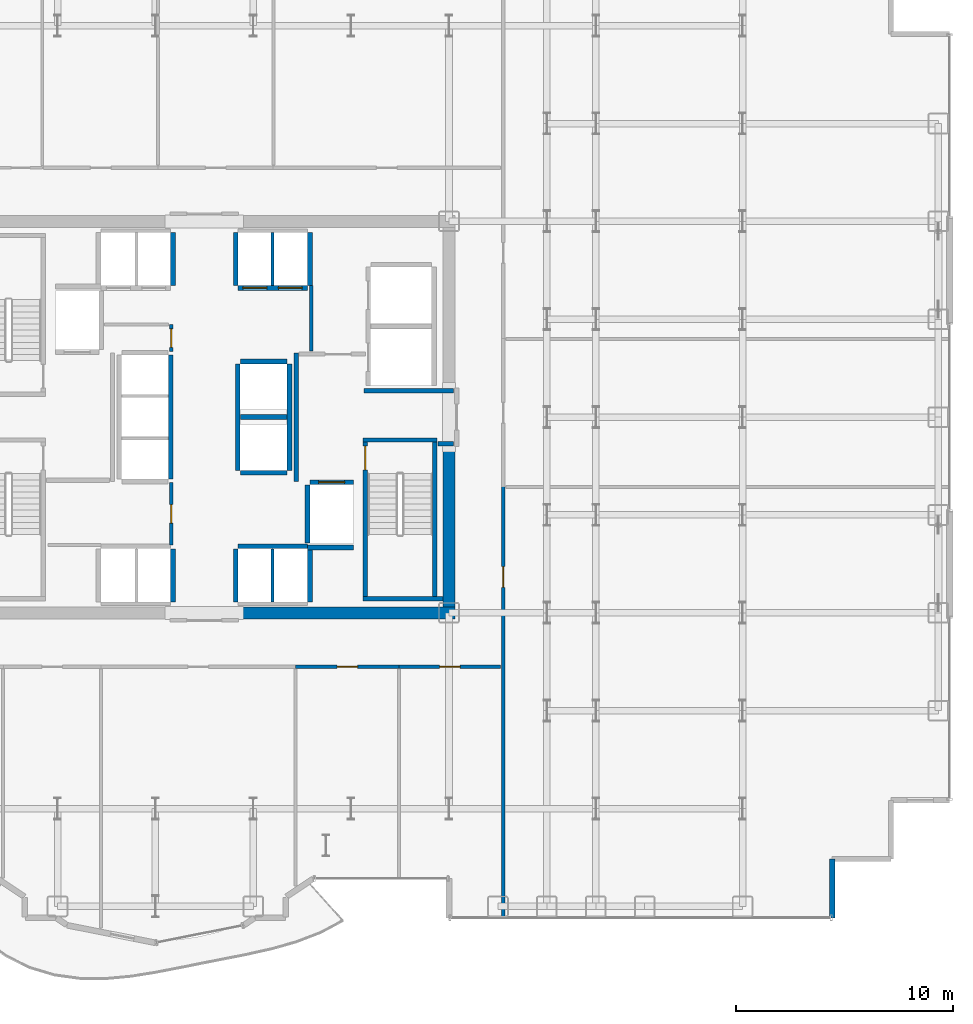
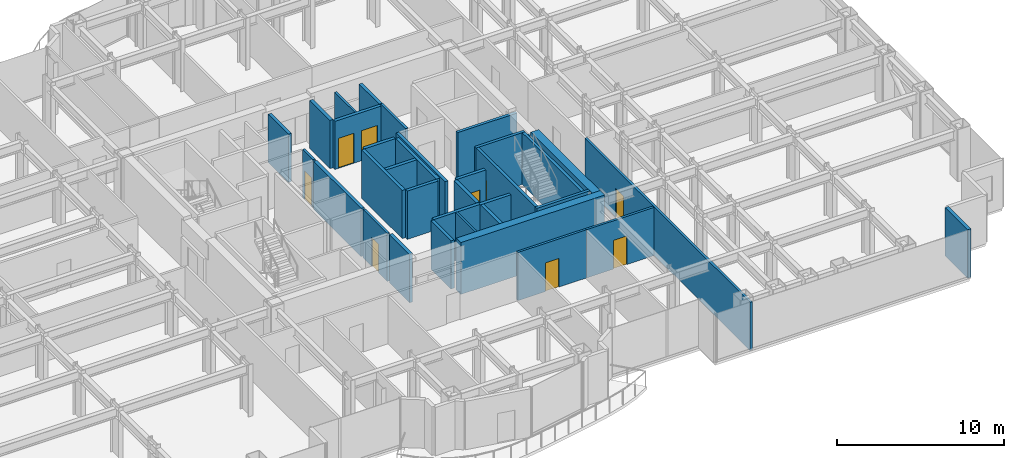
# One storey, part 24 of 28: 35 walls, 9 doors, 9 openings.
"""IFC4 building model written with IfcOpenShell, lengths in metres."""

from ifc_helpers import new_model, si_unit, direction, frame, frame_2d, origin, place, context, subcontext, project, spatial, rectangle, extrude, source, transform, mapped, material, layer, layer_set, type_object, element, fill, save


model = new_model("IFC4")

# Units and contexts
model_context = context("Model", 3, precision=1e-05, world=origin(), true_north=direction((0.0, 1.0)))
body_context = subcontext(model_context, "Body", "Model", "MODEL_VIEW")
ifc_project = project(units=[si_unit("LENGTHUNIT", "METRE"), si_unit("AREAUNIT", "SQUARE_METRE"), si_unit("VOLUMEUNIT", "CUBIC_METRE"), si_unit("PLANEANGLEUNIT", "RADIAN"), si_unit("MASSUNIT", "GRAM", prefix="KILO")], contexts=[model_context])

# Site, building, storey
site_placement = place(None, origin())
site = spatial("IfcSite", under=ifc_project, at=site_placement, CompositionType="ELEMENT")
building_placement = place(site_placement, origin())
building = spatial("IfcBuilding", under=site, at=building_placement, Name="Nefas-Gora Pilgrimage Tower", CompositionType="ELEMENT")
storey_placement = place(building_placement, frame((0.0, 0.0, 102.199951171875)))
storey = spatial("IfcBuildingStorey", under=building, at=storey_placement, Name="L24", CompositionType="ELEMENT", Elevation=102.199951171875)

# Walls
ifc_material_1 = material(Name="Concrete C60/75", Category="concrete")
ifc_layer_1 = layer(ifc_material_1, 0.550048828125)
ifc_layer_set_1 = layer_set([ifc_layer_1], Name="Concrete C60/75")
wall_type_1 = type_object("IfcWallType", Name="SW-CORE-550", PredefinedType="SHEAR", material=ifc_layer_set_1)
shared_shape_1 = source(origin(), body_context, "Body", "SweptSolid", [
    extrude(rectangle(XDim=9.974853515625, YDim=0.550048828125, at=frame_2d((4.9873046875, 0.0))), origin(), (0.0, 0.0, 1.0), 3.800048828125),
])
wall_1_placement = place(storey_placement, frame((1.550048828125, -9.0, 0.0), z_axis=(0.0, 0.0, 1.0), x_axis=(1.0, 0.0, 0.0)))
element("IfcWall", 1, at=wall_1_placement, inside=storey, type_object=wall_type_1, Name="L24 Core Shear Wall S-East", PredefinedType="SHEAR", context=body_context, shape_type="MappedRepresentation", body=[
    mapped(shared_shape_1, transform((0.0, 0.0, 0.0), x_axis=(1.0, 0.0, 0.0), y_axis=(0.0, 1.0, 0.0), z_axis=(0.0, 0.0, 1.0), scale=1.0)),
])
shared_shape_2 = source(origin(), body_context, "Body", "SweptSolid", [
    extrude(rectangle(XDim=7.375, YDim=0.550048828125, at=frame_2d((3.6875, 0.0))), origin(), (0.0, 0.0, 1.0), 3.800048828125),
])
wall_2_placement = place(storey_placement, frame((11.25, -8.72509765625, 0.0), z_axis=(0.0, 0.0, 1.0), x_axis=(0.0, 1.0, 0.0)))
element("IfcWall", 2, at=wall_2_placement, inside=storey, type_object=wall_type_1, Name="L24 Core Shear Wall E-South", PredefinedType="SHEAR", context=body_context, shape_type="MappedRepresentation", body=[
    mapped(shared_shape_2, transform((0.0, 0.0, 0.0), x_axis=(1.0, 0.0, 0.0), y_axis=(0.0, 1.0, 0.0), z_axis=(0.0, 0.0, 1.0), scale=1.0)),
])
ifc_material_2 = material(Name="Precast concrete C45/55", Category="concrete")
ifc_layer_2 = layer(ifc_material_2, 0.239990234375)
ifc_layer_set_2 = layer_set([ifc_layer_2], Name="Precast concrete C45/55")
wall_type_2 = type_object("IfcWallType", Name="EW-SERR-240", PredefinedType="SHEAR", material=ifc_layer_set_2)
shared_shape_3 = source(origin(), body_context, "Body", "SweptSolid", [
    extrude(rectangle(XDim=2.699951171875, YDim=0.239990234375, at=frame_2d((1.35009765625, 0.0))), origin(), (0.0, 0.0, 1.0), 3.550048828125),
])
wall_3_placement = place(storey_placement, frame((28.8701171875, -23.02001953125, 0.0), z_axis=(0.0, 0.0, 1.0), x_axis=(0.0, 1.0, 0.0)))
element("IfcWall", 3, at=wall_3_placement, inside=storey, type_object=wall_type_2, Name="L24 Serrated Corner Shear Pier Wall 6", PredefinedType="SHEAR", context=body_context, shape_type="MappedRepresentation", body=[
    mapped(shared_shape_3, transform((0.0, 0.0, 0.0), x_axis=(1.0, 0.0, 0.0), y_axis=(0.0, 1.0, 0.0), z_axis=(0.0, 0.0, 1.0), scale=1.0)),
])
ifc_material_3 = material(Name="Concrete C45/55", Category="concrete")
ifc_layer_3 = layer(ifc_material_3, 0.199951171875)
ifc_layer_set_3 = layer_set([ifc_layer_3], Name="Concrete C45/55")
wall_type_3 = type_object("IfcWallType", Name="IW-STAIR-200", PredefinedType="SOLIDWALL", material=ifc_layer_set_3)
shared_shape_4 = source(origin(), body_context, "Body", "SweptSolid", [
    extrude(rectangle(XDim=3.39990234375, YDim=0.199951171875, at=frame_2d((1.699951171875, 0.0))), origin(), (0.0, 0.0, 1.0), 3.800048828125),
])
wall_4_placement = place(storey_placement, frame((7.300048828125, -1.050048828125, 0.0), z_axis=(0.0, 0.0, 1.0), x_axis=(1.0, 0.0, 0.0)))
element("IfcWall", 4, at=wall_4_placement, inside=storey, type_object=wall_type_3, Name="L24 Stairwell Shear Wall ST-02-near", PredefinedType="SOLIDWALL", context=body_context, shape_type="MappedRepresentation", body=[
    mapped(shared_shape_4, transform((0.0, 0.0, 0.0), x_axis=(1.0, 0.0, 0.0), y_axis=(0.0, 1.0, 0.0), z_axis=(0.0, 0.0, 1.0), scale=1.0)),
])

# Wall, opening, door
shared_shape_5 = source(origin(), body_context, "Body", "SweptSolid", [
    extrude(rectangle(XDim=7.10009765625, YDim=0.199951171875, at=frame_2d((3.550048828125, 0.0))), origin(), (0.0, 0.0, 1.0), 3.800048828125),
])
wall_5_placement = place(storey_placement, frame((7.39990234375, -1.14990234375, 0.0), z_axis=(0.0, 0.0, 1.0), x_axis=(0.0, -1.0, 0.0)))
wall_5 = element("IfcWall", 5, at=wall_5_placement, inside=storey, type_object=wall_type_3, Name="L24 Stairwell Shear Wall ST-02-left", PredefinedType="SOLIDWALL", context=body_context, shape_type="MappedRepresentation", body=[
    mapped(shared_shape_5, transform((0.0, 0.0, 0.0), x_axis=(1.0, 0.0, 0.0), y_axis=(0.0, 1.0, 0.0), z_axis=(0.0, 0.0, 1.0), scale=1.0)),
])
opening_1_placement = place(wall_5_placement, frame((0.179931640625, 0.0, 0.0)))
opening_1 = element("IfcOpeningElement", 6, at=opening_1_placement, cuts=wall_5, Name="Opening ID-ST1", PredefinedType="OPENING", context=body_context, shape_type="SweptSolid", body=[
    extrude(rectangle(XDim=1.10009765625, YDim=2.14990234375, at=frame_2d((0.550048828125, 1.074951171875))), frame((0.0, 0.10986328125, 0.0), z_axis=(0.0, -1.0, 0.0), x_axis=(1.0, 0.0, 0.0)), (0.0, 0.0, 1.0), 0.219970703125),
])
ifc_material_4 = material(Name="Painted galvanised steel fire stair door", Category="steel")
door_type_1 = type_object("IfcDoorType", Name="DR-INT-STAIR-1100", OperationType="NOTDEFINED", PredefinedType="DOOR", material=ifc_material_4)
shared_shape_6 = source(origin(), body_context, "Body", "SweptSolid", [
    extrude(rectangle(XDim=1.10009765625, YDim=2.14990234375, at=frame_2d((0.550048828125, 1.074951171875))), frame((0.0, 0.02490234375, 0.0), z_axis=(0.0, -1.0, 0.0), x_axis=(1.0, 0.0, 0.0)), (0.0, 0.0, 1.0), 0.050048828125),
])
door_1_placement = place(opening_1_placement, origin())
door_1 = element("IfcDoor", 7, at=door_1_placement, inside=storey, type_object=door_type_1, Name="L24 Protected Exit Stair Door ST-02", OperationType="SINGLE_SWING_LEFT", OverallHeight=2.14990234375, OverallWidth=1.10009765625, PredefinedType="DOOR", context=body_context, shape_type="MappedRepresentation", body=[
    mapped(shared_shape_6, transform((0.0, 0.0, 0.0), x_axis=(1.0, 0.0, 0.0), y_axis=(0.0, 1.0, 0.0), z_axis=(0.0, 0.0, 1.0), scale=1.0)),
])
fill(opening_1, door_1)

# Walls
wall_6_placement = place(storey_placement, frame((10.60009765625, -1.14990234375, 0.0), z_axis=(0.0, 0.0, 1.0), x_axis=(0.0, -1.0, 0.0)))
element("IfcWall", 8, at=wall_6_placement, inside=storey, type_object=wall_type_3, Name="L24 Stairwell Shear Wall ST-02-right", PredefinedType="SOLIDWALL", context=body_context, shape_type="MappedRepresentation", body=[
    mapped(shared_shape_5, transform((0.0, 0.0, 0.0), x_axis=(1.0, 0.0, 0.0), y_axis=(0.0, 1.0, 0.0), z_axis=(0.0, 0.0, 1.0), scale=1.0)),
])
shared_shape_7 = source(origin(), body_context, "Body", "SweptSolid", [
    extrude(rectangle(XDim=3.679931640625, YDim=0.199951171875, at=frame_2d((1.83984375, 0.0))), origin(), (0.0, 0.0, 1.0), 3.800048828125),
])
wall_7_placement = place(storey_placement, frame((7.300048828125, -8.35009765625, 0.0), z_axis=(0.0, 0.0, 1.0), x_axis=(1.0, 0.0, 0.0)))
element("IfcWall", 9, at=wall_7_placement, inside=storey, type_object=wall_type_3, Name="L24 Stairwell Shear Wall ST-02-far", PredefinedType="SOLIDWALL", context=body_context, shape_type="MappedRepresentation", body=[
    mapped(shared_shape_7, transform((0.0, 0.0, 0.0), x_axis=(1.0, 0.0, 0.0), y_axis=(0.0, 1.0, 0.0), z_axis=(0.0, 0.0, 1.0), scale=1.0)),
])

# Wall, opening, door
ifc_material_5 = material(Name="Concrete C40/50", Category="concrete")
ifc_layer_4 = layer(ifc_material_5, 0.219970703125)
ifc_layer_set_4 = layer_set([ifc_layer_4], Name="Concrete C40/50")
wall_type_4 = type_object("IfcWallType", Name="IW-SHAFT-220", PredefinedType="SOLIDWALL", material=ifc_layer_set_4)
shared_shape_8 = source(origin(), body_context, "Body", "SweptSolid", [
    extrude(rectangle(XDim=2.0, YDim=0.219970703125, at=frame_2d((1.0, 0.0))), origin(), (0.0, 0.0, 1.0), 3.53515625),
])
wall_8_placement = place(storey_placement, frame((6.85009765625, -2.989990234375, 0.0), z_axis=(0.0, 0.0, 1.0), x_axis=(-1.0, 0.0, 0.0)))
wall_8 = element("IfcWall", 10, at=wall_8_placement, inside=storey, type_object=wall_type_4, Name="L24 Hoistway Wall FFL-02-N", PredefinedType="SOLIDWALL", context=body_context, shape_type="MappedRepresentation", body=[
    mapped(shared_shape_8, transform((0.0, 0.0, 0.0), x_axis=(1.0, 0.0, 0.0), y_axis=(0.0, 1.0, 0.0), z_axis=(0.0, 0.0, 1.0), scale=1.0)),
])
opening_2_placement = place(wall_8_placement, frame((0.39990234375, 0.0, 0.0)))
opening_2 = element("IfcOpeningElement", 11, at=opening_2_placement, cuts=wall_8, Name="Opening LD-FF", PredefinedType="OPENING", context=body_context, shape_type="SweptSolid", body=[
    extrude(rectangle(XDim=1.199951171875, YDim=2.199951171875, at=frame_2d((0.60009765625, 1.10009765625))), frame((0.0, 0.119873046875, 0.0), z_axis=(0.0, -1.0, 0.0), x_axis=(1.0, 0.0, 0.0)), (0.0, 0.0, 1.0), 0.239990234375),
])
ifc_material_6 = material(Name="Fire-service sliding lift landing door")
door_type_2 = type_object("IfcDoorType", Name="DR-LIFT-FSAE-1200", OperationType="SLIDING_TO_LEFT", PredefinedType="DOOR", material=ifc_material_6)
shared_shape_9 = source(origin(), body_context, "Body", "SweptSolid", [
    extrude(rectangle(XDim=1.199951171875, YDim=2.199951171875, at=frame_2d((0.60009765625, 1.10009765625))), frame((0.0, 0.02490234375, 0.0), z_axis=(0.0, -1.0, 0.0), x_axis=(1.0, 0.0, 0.0)), (0.0, 0.0, 1.0), 0.050048828125),
])
door_2_placement = place(opening_2_placement, origin())
door_2 = element("IfcDoor", 12, at=door_2_placement, inside=storey, type_object=door_type_2, Name="L24 Sliding Lift Landing Door FFL-02", OperationType="SLIDING_TO_LEFT", OverallHeight=2.199951171875, OverallWidth=1.199951171875, PredefinedType="DOOR", context=body_context, shape_type="MappedRepresentation", body=[
    mapped(shared_shape_9, transform((0.0, 0.0, 0.0), x_axis=(1.0, 0.0, 0.0), y_axis=(0.0, 1.0, 0.0), z_axis=(0.0, 0.0, 1.0), scale=1.0)),
])
fill(opening_2, door_2)

# Wall
shared_shape_10 = source(origin(), body_context, "Body", "SweptSolid", [
    extrude(rectangle(XDim=2.679931640625, YDim=0.219970703125, at=frame_2d((1.33984375, 0.0))), origin(), (0.0, 0.0, 1.0), 3.53515625),
])
wall_9_placement = place(storey_placement, frame((4.739990234375, -3.110107421875, 0.0), z_axis=(0.0, 0.0, 1.0), x_axis=(0.0, -1.0, 0.0)))
element("IfcWall", 13, at=wall_9_placement, inside=storey, type_object=wall_type_4, Name="L24 Hoistway Wall FFL-02-W", PredefinedType="SOLIDWALL", context=body_context, shape_type="MappedRepresentation", body=[
    mapped(shared_shape_10, transform((0.0, 0.0, 0.0), x_axis=(1.0, 0.0, 0.0), y_axis=(0.0, 1.0, 0.0), z_axis=(0.0, 0.0, 1.0), scale=1.0)),
])

# Wall, openings, doors
shared_shape_11 = source(origin(), body_context, "Body", "SweptSolid", [
    extrude(rectangle(XDim=3.199951171875, YDim=0.219970703125, at=frame_2d((1.60009765625, 0.0))), origin(), (0.0, 0.0, 1.0), 3.53515625),
])
wall_10_placement = place(storey_placement, frame((1.550048828125, 5.93994140625, 0.0), z_axis=(0.0, 0.0, 1.0), x_axis=(1.0, 0.0, 0.0)))
wall_10 = element("IfcWall", 14, at=wall_10_placement, inside=storey, type_object=wall_type_4, Name="L24 Hoistway Wall PL1-E-S", PredefinedType="SOLIDWALL", context=body_context, shape_type="MappedRepresentation", body=[
    mapped(shared_shape_11, transform((0.0, 0.0, 0.0), x_axis=(1.0, 0.0, 0.0), y_axis=(0.0, 1.0, 0.0), z_axis=(0.0, 0.0, 1.0), scale=1.0)),
])
opening_3_placement = place(wall_10_placement, frame((0.22509765625, 0.0, 0.0)))
opening_3 = element("IfcOpeningElement", 15, at=opening_3_placement, cuts=wall_10, Name="Opening LD-01", PredefinedType="OPENING", context=body_context, shape_type="SweptSolid", body=[
    extrude(rectangle(XDim=1.10009765625, YDim=2.199951171875, at=frame_2d((0.550048828125, 1.10009765625))), frame((0.0, 0.119873046875, 0.0), z_axis=(0.0, -1.0, 0.0), x_axis=(1.0, 0.0, 0.0)), (0.0, 0.0, 1.0), 0.239990234375),
])
opening_4_placement = place(wall_10_placement, frame((1.85009765625, 0.0, 0.0)))
opening_4 = element("IfcOpeningElement", 16, at=opening_4_placement, cuts=wall_10, Name="Opening LD-01", PredefinedType="OPENING", context=body_context, shape_type="SweptSolid", body=[
    extrude(rectangle(XDim=1.10009765625, YDim=2.199951171875, at=frame_2d((0.550048828125, 1.10009765625))), frame((0.0, 0.119873046875, 0.0), z_axis=(0.0, -1.0, 0.0), x_axis=(1.0, 0.0, 0.0)), (0.0, 0.0, 1.0), 0.239990234375),
])
ifc_material_7 = material(Name="Brushed stainless sliding lift landing door")
door_type_3 = type_object("IfcDoorType", Name="DR-LIFT-PASS-1100", OperationType="DOUBLE_DOOR_SLIDING", PredefinedType="DOOR", material=ifc_material_7)
shared_shape_12 = source(origin(), body_context, "Body", "SweptSolid", [
    extrude(rectangle(XDim=1.10009765625, YDim=2.199951171875, at=frame_2d((0.550048828125, 1.10009765625))), frame((0.0, 0.02490234375, 0.0), z_axis=(0.0, -1.0, 0.0), x_axis=(1.0, 0.0, 0.0)), (0.0, 0.0, 1.0), 0.050048828125),
])
door_3_placement = place(opening_3_placement, origin())
door_3 = element("IfcDoor", 17, at=door_3_placement, inside=storey, type_object=door_type_3, Name="L24 Sliding Lift Landing Door PL1-03", OperationType="DOUBLE_DOOR_SLIDING", OverallHeight=2.199951171875, OverallWidth=1.10009765625, PredefinedType="DOOR", context=body_context, shape_type="MappedRepresentation", body=[
    mapped(shared_shape_12, transform((0.0, 0.0, 0.0), x_axis=(1.0, 0.0, 0.0), y_axis=(0.0, 1.0, 0.0), z_axis=(0.0, 0.0, 1.0), scale=1.0)),
])
fill(opening_3, door_3)
door_4_placement = place(opening_4_placement, origin())
door_4 = element("IfcDoor", 18, at=door_4_placement, inside=storey, type_object=door_type_3, Name="L24 Sliding Lift Landing Door PL1-04", OperationType="DOUBLE_DOOR_SLIDING", OverallHeight=2.199951171875, OverallWidth=1.10009765625, PredefinedType="DOOR", context=body_context, shape_type="MappedRepresentation", body=[
    mapped(shared_shape_12, transform((0.0, 0.0, 0.0), x_axis=(1.0, 0.0, 0.0), y_axis=(0.0, 1.0, 0.0), z_axis=(0.0, 0.0, 1.0), scale=1.0)),
])
fill(opening_4, door_4)

# Walls
wall_11_placement = place(storey_placement, frame((4.75, -5.93994140625, 0.0), z_axis=(0.0, 0.0, 1.0), x_axis=(-1.0, 0.0, 0.0)))
element("IfcWall", 19, at=wall_11_placement, inside=storey, type_object=wall_type_4, Name="L24 Hoistway Wall PL2-E-N", PredefinedType="SOLIDWALL", context=body_context, shape_type="MappedRepresentation", body=[
    mapped(shared_shape_11, transform((0.0, 0.0, 0.0), x_axis=(1.0, 0.0, 0.0), y_axis=(0.0, 1.0, 0.0), z_axis=(0.0, 0.0, 1.0), scale=1.0)),
])
shared_shape_13 = source(origin(), body_context, "Body", "SweptSolid", [
    extrude(rectangle(XDim=2.429931640625, YDim=0.219970703125, at=frame_2d((1.21484375, 0.0))), origin(), (0.0, 0.0, 1.0), 3.53515625),
])
for number, where, z_axis, x_axis, name in (
    (20, (-1.43994140625, 6.06005859375, 0.0), (0.0, 0.0, 1.0), (0.0, 1.0, 0.0), "L24 Hoistway Wall PL1-W-E"),
    (21, (1.43994140625, 8.489990234375, 0.0), (0.0, 0.0, 1.0), (0.0, -1.0, 0.0), "L24 Hoistway Wall PL1-E-W"),
    (22, (4.860107421875, 6.06005859375, 0.0), (0.0, 0.0, 1.0), (0.0, 1.0, 0.0), "L24 Hoistway Wall PL1-E-E"),
    (23, (-1.43994140625, -8.489990234375, 0.0), (0.0, 0.0, 1.0), (0.0, 1.0, 0.0), "L24 Hoistway Wall PL2-W-E"),
    (24, (1.43994140625, -6.06005859375, 0.0), (0.0, 0.0, 1.0), (0.0, -1.0, 0.0), "L24 Hoistway Wall PL2-E-W"),
    (25, (4.860107421875, -8.489990234375, 0.0), (0.0, 0.0, 1.0), (0.0, 1.0, 0.0), "L24 Hoistway Wall PL2-E-E"),
):
    element("IfcWall", number, at=place(storey_placement, frame(where, z_axis=z_axis, x_axis=x_axis)), inside=storey, type_object=wall_type_4, Name=name, PredefinedType="SOLIDWALL", context=body_context, shape_type="MappedRepresentation", body=[
        mapped(shared_shape_13, transform((0.0, 0.0, 0.0), x_axis=(1.0, 0.0, 0.0), y_axis=(0.0, 1.0, 0.0), z_axis=(0.0, 0.0, 1.0), scale=1.0)),
    ])
ifc_material_8 = material(Name="Gypsum twin-stud partition")
ifc_layer_5 = layer(ifc_material_8, 0.139892578125)
ifc_layer_set_5 = layer_set([ifc_layer_5], Name="Gypsum twin-stud partition")
wall_type_5 = type_object("IfcWallType", Name="IW-UNIT-140", PredefinedType="PARTITIONING", material=ifc_layer_set_5)
shared_shape_14 = source(origin(), body_context, "Body", "SweptSolid", [
    extrude(rectangle(XDim=2.429931640625, YDim=0.139892578125, at=frame_2d((1.21484375, 0.0))), origin(), (0.0, 0.0, 1.0), 3.53515625),
])
for number, where, z_axis, x_axis, name in (
    (26, (3.125, 6.06005859375, 0.0), (0.0, 0.0, 1.0), (0.0, 1.0, 0.0), "L24 Hoistway Wall PL1-E-DIV"),
    (27, (3.125, -8.489990234375, 0.0), (0.0, 0.0, 1.0), (0.0, 1.0, 0.0), "L24 Hoistway Wall PL2-E-DIV"),
):
    element("IfcWall", number, at=place(storey_placement, frame(where, z_axis=z_axis, x_axis=x_axis)), inside=storey, type_object=wall_type_5, Name=name, PredefinedType="PARTITIONING", context=body_context, shape_type="MappedRepresentation", body=[
        mapped(shared_shape_14, transform((0.0, 0.0, 0.0), x_axis=(1.0, 0.0, 0.0), y_axis=(0.0, 1.0, 0.0), z_axis=(0.0, 0.0, 1.0), scale=1.0)),
    ])
shared_shape_15 = source(origin(), body_context, "Body", "SweptSolid", [
    extrude(rectangle(XDim=5.7001953125, YDim=0.219970703125, at=frame_2d((2.85009765625, 0.0))), origin(), (0.0, 0.0, 1.0), 3.53515625),
])
wall_12_placement = place(storey_placement, frame((-1.5400390625, -2.85009765625, 0.0), z_axis=(0.0, 0.0, 1.0), x_axis=(0.0, 1.0, 0.0)))
element("IfcWall", 28, at=wall_12_placement, inside=storey, type_object=wall_type_4, Name="L24 Hoistway Wall PL3-01-03-E", PredefinedType="SOLIDWALL", context=body_context, shape_type="MappedRepresentation", body=[
    mapped(shared_shape_15, transform((0.0, 0.0, 0.0), x_axis=(1.0, 0.0, 0.0), y_axis=(0.0, 1.0, 0.0), z_axis=(0.0, 0.0, 1.0), scale=1.0)),
])
shared_shape_16 = source(origin(), body_context, "Body", "SweptSolid", [
    extrude(rectangle(XDim=2.130126953125, YDim=0.219970703125, at=frame_2d((1.06494140625, 0.0))), origin(), (0.0, 0.0, 1.0), 3.53515625),
])
for number, where, z_axis, x_axis, name in (
    (29, (1.659912109375, -2.56005859375, 0.0), (0.0, 0.0, 1.0), (1.0, 0.0, 0.0), "L24 Hoistway Wall OBS-01-S"),
    (30, (1.659912109375, 0.0, 0.0), (0.0, 0.0, 1.0), (1.0, 0.0, 0.0), "L24 Hoistway Wall OBS-01-02-DIV"),
    (31, (3.7900390625, 2.56005859375, 0.0), (0.0, 0.0, 1.0), (-1.0, 0.0, 0.0), "L24 Hoistway Wall OBS-02-N"),
):
    element("IfcWall", number, at=place(storey_placement, frame(where, z_axis=z_axis, x_axis=x_axis)), inside=storey, type_object=wall_type_4, Name=name, PredefinedType="SOLIDWALL", context=body_context, shape_type="MappedRepresentation", body=[
        mapped(shared_shape_16, transform((0.0, 0.0, 0.0), x_axis=(1.0, 0.0, 0.0), y_axis=(0.0, 1.0, 0.0), z_axis=(0.0, 0.0, 1.0), scale=1.0)),
    ])
shared_shape_17 = source(origin(), body_context, "Body", "SweptSolid", [
    extrude(rectangle(XDim=4.89990234375, YDim=0.219970703125, at=frame_2d((2.449951171875, 0.0))), origin(), (0.0, 0.0, 1.0), 3.53515625),
])
for number, where, z_axis, x_axis, name in (
    (32, (1.5400390625, 2.449951171875, 0.0), (0.0, 0.0, 1.0), (0.0, -1.0, 0.0), "L24 Hoistway Wall OBS-01-02-W"),
    (33, (3.909912109375, -2.449951171875, 0.0), (0.0, 0.0, 1.0), (0.0, 1.0, 0.0), "L24 Hoistway Wall OBS-01-02-E"),
):
    element("IfcWall", number, at=place(storey_placement, frame(where, z_axis=z_axis, x_axis=x_axis)), inside=storey, type_object=wall_type_4, Name=name, PredefinedType="SOLIDWALL", context=body_context, shape_type="MappedRepresentation", body=[
        mapped(shared_shape_17, transform((0.0, 0.0, 0.0), x_axis=(1.0, 0.0, 0.0), y_axis=(0.0, 1.0, 0.0), z_axis=(0.0, 0.0, 1.0), scale=1.0)),
    ])
shared_shape_18 = source(origin(), body_context, "Body", "SweptSolid", [
    extrude(rectangle(XDim=2.09521484375, YDim=0.219970703125, at=frame_2d((1.047607421875, 0.0))), origin(), (0.0, 0.0, 1.0), 3.53515625),
])
wall_13_placement = place(storey_placement, frame((4.7548828125, -6.0, 0.0), z_axis=(0.0, 0.0, 1.0), x_axis=(1.0, 0.0, 0.0)))
element("IfcWall", 34, at=wall_13_placement, inside=storey, type_object=wall_type_4, Name="L24 Riser Shaft Wall 2", PredefinedType="SOLIDWALL", context=body_context, shape_type="MappedRepresentation", body=[
    mapped(shared_shape_18, transform((0.0, 0.0, 0.0), x_axis=(1.0, 0.0, 0.0), y_axis=(0.0, 1.0, 0.0), z_axis=(0.0, 0.0, 1.0), scale=1.0)),
])
ifc_material_9 = material(Name="Gypsum fire-rated shaftwall")
ifc_layer_6 = layer(ifc_material_9, 0.199951171875)
ifc_layer_set_6 = layer_set([ifc_layer_6], Name="Gypsum fire-rated shaftwall")
wall_type_6 = type_object("IfcWallType", Name="IW-FFLOB-200", PredefinedType="PARTITIONING", material=ifc_layer_set_6)
shared_shape_19 = source(origin(), body_context, "Body", "SweptSolid", [
    extrude(rectangle(XDim=5.89990234375, YDim=0.199951171875, at=frame_2d((2.949951171875, 0.0))), origin(), (0.0, 0.0, 1.0), 3.53515625),
])
wall_14_placement = place(storey_placement, frame((4.219970703125, -2.949951171875, 0.0), z_axis=(0.0, 0.0, 1.0), x_axis=(0.0, 1.0, 0.0)))
element("IfcWall", 35, at=wall_14_placement, inside=storey, type_object=wall_type_6, Name="L24 FF Lobby East Inner Wall Wall 9", PredefinedType="PARTITIONING", context=body_context, shape_type="MappedRepresentation", body=[
    mapped(shared_shape_19, transform((0.0, 0.0, 0.0), x_axis=(1.0, 0.0, 0.0), y_axis=(0.0, 1.0, 0.0), z_axis=(0.0, 0.0, 1.0), scale=1.0)),
])
shared_shape_20 = source(origin(), body_context, "Body", "SweptSolid", [
    extrude(rectangle(XDim=0.719970703125, YDim=0.199951171875, at=frame_2d((0.35986328125, 0.0))), origin(), (0.0, 0.0, 1.0), 3.53515625),
])
wall_15_placement = place(storey_placement, frame((10.739990234375, -1.219970703125, 0.0), z_axis=(0.0, 0.0, 1.0), x_axis=(1.0, 0.0, 0.0)))
element("IfcWall", 36, at=wall_15_placement, inside=storey, type_object=wall_type_6, Name="L24 FF Lobby East Throat S Wall 12", PredefinedType="PARTITIONING", context=body_context, shape_type="MappedRepresentation", body=[
    mapped(shared_shape_20, transform((0.0, 0.0, 0.0), x_axis=(1.0, 0.0, 0.0), y_axis=(0.0, 1.0, 0.0), z_axis=(0.0, 0.0, 1.0), scale=1.0)),
])
shared_shape_21 = source(origin(), body_context, "Body", "SweptSolid", [
    extrude(rectangle(XDim=4.10986328125, YDim=0.199951171875, at=frame_2d((2.054931640625, 0.0))), origin(), (0.0, 0.0, 1.0), 3.53515625),
])
wall_16_placement = place(storey_placement, frame((7.35009765625, 1.219970703125, 0.0), z_axis=(0.0, 0.0, 1.0), x_axis=(1.0, 0.0, 0.0)))
element("IfcWall", 37, at=wall_16_placement, inside=storey, type_object=wall_type_6, Name="L24 FF Lobby East Throat N Wall 11", PredefinedType="PARTITIONING", context=body_context, shape_type="MappedRepresentation", body=[
    mapped(shared_shape_21, transform((0.0, 0.0, 0.0), x_axis=(1.0, 0.0, 0.0), y_axis=(0.0, 1.0, 0.0), z_axis=(0.0, 0.0, 1.0), scale=1.0)),
])
ifc_material_10 = material(Name="Gypsum acoustic stud partition")
ifc_layer_7 = layer(ifc_material_10, 0.159912109375)
ifc_layer_set_7 = layer_set([ifc_layer_7], Name="Gypsum acoustic stud partition")
wall_type_7 = type_object("IfcWallType", Name="IW-CORR-160", PredefinedType="PARTITIONING", material=ifc_layer_set_7)
shared_shape_22 = source(origin(), body_context, "Body", "SweptSolid", [
    extrude(rectangle(XDim=3.014892578125, YDim=0.159912109375, at=frame_2d((1.50732421875, 0.0))), origin(), (0.0, 0.0, 1.0), 3.53515625),
])
wall_17_placement = place(storey_placement, frame((4.919921875, 3.0400390625, 0.0), z_axis=(0.0, 0.0, 1.0), x_axis=(0.0, 1.0, 0.0)))
element("IfcWall", 38, at=wall_17_placement, inside=storey, type_object=wall_type_7, Name="L24 Service Lift Lobby West Wall Wall 15", PredefinedType="PARTITIONING", context=body_context, shape_type="MappedRepresentation", body=[
    mapped(shared_shape_22, transform((0.0, 0.0, 0.0), x_axis=(1.0, 0.0, 0.0), y_axis=(0.0, 1.0, 0.0), z_axis=(0.0, 0.0, 1.0), scale=1.0)),
])

# Wall, opening, door
shared_shape_23 = source(origin(), body_context, "Body", "SweptSolid", [
    extrude(rectangle(XDim=1.25, YDim=0.159912109375, at=frame_2d((0.625, 0.0))), origin(), (0.0, 0.0, 1.0), 3.53515625),
])
wall_18_placement = place(storey_placement, frame((-1.52001953125, 3.010009765625, 0.0), z_axis=(0.0, 0.0, 1.0), x_axis=(0.0, 1.0, 0.0)))
wall_18 = element("IfcWall", 39, at=wall_18_placement, inside=storey, type_object=wall_type_7, Name="L24 Housekeeping and Linen Store Wall 16", PredefinedType="PARTITIONING", context=body_context, shape_type="MappedRepresentation", body=[
    mapped(shared_shape_23, transform((0.0, 0.0, 0.0), x_axis=(1.0, 0.0, 0.0), y_axis=(0.0, 1.0, 0.0), z_axis=(0.0, 0.0, 1.0), scale=1.0)),
])
opening_5_placement = place(wall_18_placement, frame((0.199951171875, 0.0, 0.0)))
opening_5 = element("IfcOpeningElement", 40, at=opening_5_placement, cuts=wall_18, Name="Opening ID-BT1", PredefinedType="OPENING", context=body_context, shape_type="SweptSolid", body=[
    extrude(rectangle(XDim=0.85009765625, YDim=2.10009765625, at=frame_2d((0.425048828125, 1.050048828125))), frame((0.0, 0.08984375, 0.0), z_axis=(0.0, -1.0, 0.0), x_axis=(1.0, 0.0, 0.0)), (0.0, 0.0, 1.0), 0.179931640625),
])
ifc_material_11 = material(Name="Moisture-resistant fire-rated timber door", Category="wood")
door_type_4 = type_object("IfcDoorType", Name="DR-INT-BATH-850", OperationType="NOTDEFINED", PredefinedType="DOOR", material=ifc_material_11)
shared_shape_24 = source(origin(), body_context, "Body", "SweptSolid", [
    extrude(rectangle(XDim=0.85009765625, YDim=2.10009765625, at=frame_2d((0.425048828125, 1.050048828125))), frame((0.0, 0.02490234375, 0.0), z_axis=(0.0, -1.0, 0.0), x_axis=(1.0, 0.0, 0.0)), (0.0, 0.0, 1.0), 0.050048828125),
])
door_5_placement = place(opening_5_placement, origin())
door_5 = element("IfcDoor", 41, at=door_5_placement, inside=storey, type_object=door_type_4, Name="L24 Housekeeping and Linen Store Door 6", OperationType="SINGLE_SWING_RIGHT", OverallHeight=2.10009765625, OverallWidth=0.85009765625, PredefinedType="DOOR", context=body_context, shape_type="MappedRepresentation", body=[
    mapped(shared_shape_24, transform((0.0, 0.0, 0.0), x_axis=(1.0, 0.0, 0.0), y_axis=(0.0, 1.0, 0.0), z_axis=(0.0, 0.0, 1.0), scale=1.0)),
])
fill(opening_5, door_5)

shared_shape_25 = source(origin(), body_context, "Body", "SweptSolid", [
    extrude(rectangle(XDim=2.8798828125, YDim=0.159912109375, at=frame_2d((1.43994140625, 0.0))), origin(), (0.0, 0.0, 1.0), 3.53515625),
])
wall_19_placement = place(storey_placement, frame((-1.52001953125, -5.889892578125, 0.0), z_axis=(0.0, 0.0, 1.0), x_axis=(0.0, 1.0, 0.0)))
wall_19 = element("IfcWall", 42, at=wall_19_placement, inside=storey, type_object=wall_type_7, Name="L24 Pilgrim Baggage and Gear Vault Wall 18", PredefinedType="PARTITIONING", context=body_context, shape_type="MappedRepresentation", body=[
    mapped(shared_shape_25, transform((0.0, 0.0, 0.0), x_axis=(1.0, 0.0, 0.0), y_axis=(0.0, 1.0, 0.0), z_axis=(0.0, 0.0, 1.0), scale=1.0)),
])
opening_6_placement = place(wall_19_placement, frame((1.014892578125, 0.0, 0.0)))
opening_6 = element("IfcOpeningElement", 43, at=opening_6_placement, cuts=wall_19, Name="Opening ID-BT1", PredefinedType="OPENING", context=body_context, shape_type="SweptSolid", body=[
    extrude(rectangle(XDim=0.85009765625, YDim=2.10009765625, at=frame_2d((0.425048828125, 1.050048828125))), frame((0.0, 0.08984375, 0.0), z_axis=(0.0, -1.0, 0.0), x_axis=(1.0, 0.0, 0.0)), (0.0, 0.0, 1.0), 0.179931640625),
])
door_6_placement = place(opening_6_placement, origin())
door_6 = element("IfcDoor", 44, at=door_6_placement, inside=storey, type_object=door_type_4, Name="L24 Pilgrim Baggage and Gear Vault Door 7", OperationType="SINGLE_SWING_LEFT", OverallHeight=2.10009765625, OverallWidth=0.85009765625, PredefinedType="DOOR", context=body_context, shape_type="MappedRepresentation", body=[
    mapped(shared_shape_24, transform((0.0, 0.0, 0.0), x_axis=(1.0, 0.0, 0.0), y_axis=(0.0, 1.0, 0.0), z_axis=(0.0, 0.0, 1.0), scale=1.0)),
])
fill(opening_6, door_6)

shared_shape_26 = source(origin(), body_context, "Body", "SweptSolid", [
    extrude(rectangle(XDim=19.844970703125, YDim=0.159912109375, at=frame_2d((9.92236328125, 0.0))), origin(), (0.0, 0.0, 1.0), 3.53515625),
])
wall_20_placement = place(storey_placement, frame((13.739990234375, -23.0400390625, 0.0), z_axis=(0.0, 0.0, 1.0), x_axis=(0.0, 1.0, 0.0)))
wall_20 = element("IfcWall", 45, at=wall_20_placement, inside=storey, type_object=wall_type_7, Name="L24 Pilgrim Fellowship Seminar Room Partition Wall 30", PredefinedType="PARTITIONING", context=body_context, shape_type="MappedRepresentation", body=[
    mapped(shared_shape_26, transform((0.0, 0.0, 0.0), x_axis=(1.0, 0.0, 0.0), y_axis=(0.0, 1.0, 0.0), z_axis=(0.0, 0.0, 1.0), scale=1.0)),
])
opening_7_placement = place(wall_20_placement, frame((15.21240234375, 0.0, 0.0)))
opening_7 = element("IfcOpeningElement", 46, at=opening_7_placement, cuts=wall_20, Name="Opening ID-GR1", PredefinedType="OPENING", context=body_context, shape_type="SweptSolid", body=[
    extrude(rectangle(XDim=0.949951171875, YDim=2.10009765625, at=frame_2d((0.47509765625, 1.050048828125))), frame((0.0, 0.08984375, 0.0), z_axis=(0.0, -1.0, 0.0), x_axis=(1.0, 0.0, 0.0)), (0.0, 0.0, 1.0), 0.179931640625),
])
ifc_material_12 = material(Name="Solid core oak fire-rated guest entrance door")
door_type_5 = type_object("IfcDoorType", Name="DR-INT-GUEST-950", OperationType="NOTDEFINED", PredefinedType="DOOR", material=ifc_material_12)
shared_shape_27 = source(origin(), body_context, "Body", "SweptSolid", [
    extrude(rectangle(XDim=0.949951171875, YDim=2.10009765625, at=frame_2d((0.47509765625, 1.050048828125))), frame((0.0, 0.02490234375, 0.0), z_axis=(0.0, -1.0, 0.0), x_axis=(1.0, 0.0, 0.0)), (0.0, 0.0, 1.0), 0.050048828125),
])
door_7_placement = place(opening_7_placement, origin())
door_7 = element("IfcDoor", 47, at=door_7_placement, inside=storey, type_object=door_type_5, Name="L24 Pilgrim Fellowship Seminar Room Door 13", OperationType="SINGLE_SWING_LEFT", OverallHeight=2.10009765625, OverallWidth=0.949951171875, PredefinedType="DOOR", context=body_context, shape_type="MappedRepresentation", body=[
    mapped(shared_shape_27, transform((0.0, 0.0, 0.0), x_axis=(1.0, 0.0, 0.0), y_axis=(0.0, 1.0, 0.0), z_axis=(0.0, 0.0, 1.0), scale=1.0)),
])
fill(opening_7, door_7)

shared_shape_28 = source(origin(), body_context, "Body", "SweptSolid", [
    extrude(rectangle(XDim=4.764892578125, YDim=0.159912109375, at=frame_2d((2.38232421875, 0.0))), origin(), (0.0, 0.0, 1.0), 3.53515625),
])
wall_21_placement = place(storey_placement, frame((4.195068359375, -11.469970703125, 0.0), z_axis=(0.0, 0.0, 1.0), x_axis=(1.0, 0.0, 0.0)))
wall_21 = element("IfcWall", 48, at=wall_21_placement, inside=storey, type_object=wall_type_7, Name="L24 Pilgrim Contemplative Lounge Partition Wall 47", PredefinedType="PARTITIONING", context=body_context, shape_type="MappedRepresentation", body=[
    mapped(shared_shape_28, transform((0.0, 0.0, 0.0), x_axis=(1.0, 0.0, 0.0), y_axis=(0.0, 1.0, 0.0), z_axis=(0.0, 0.0, 1.0), scale=1.0)),
])
opening_8_placement = place(wall_21_placement, frame((1.907470703125, 0.0, 0.0)))
opening_8 = element("IfcOpeningElement", 49, at=opening_8_placement, cuts=wall_21, Name="Opening ID-GR1", PredefinedType="OPENING", context=body_context, shape_type="SweptSolid", body=[
    extrude(rectangle(XDim=0.949951171875, YDim=2.10009765625, at=frame_2d((0.47509765625, 1.050048828125))), frame((0.0, 0.08984375, 0.0), z_axis=(0.0, -1.0, 0.0), x_axis=(1.0, 0.0, 0.0)), (0.0, 0.0, 1.0), 0.179931640625),
])
door_8_placement = place(opening_8_placement, origin())
door_8 = element("IfcDoor", 50, at=door_8_placement, inside=storey, type_object=door_type_5, Name="L24 Pilgrim Contemplative Lounge Door 23", OperationType="SINGLE_SWING_LEFT", OverallHeight=2.10009765625, OverallWidth=0.949951171875, PredefinedType="DOOR", context=body_context, shape_type="MappedRepresentation", body=[
    mapped(shared_shape_27, transform((0.0, 0.0, 0.0), x_axis=(1.0, 0.0, 0.0), y_axis=(0.0, 1.0, 0.0), z_axis=(0.0, 0.0, 1.0), scale=1.0)),
])
fill(opening_8, door_8)

shared_shape_29 = source(origin(), body_context, "Body", "SweptSolid", [
    extrude(rectangle(XDim=4.66015625, YDim=0.159912109375, at=frame_2d((2.330078125, 0.0))), origin(), (0.0, 0.0, 1.0), 3.53515625),
])
wall_22_placement = place(storey_placement, frame((8.9599609375, -11.469970703125, 0.0), z_axis=(0.0, 0.0, 1.0), x_axis=(1.0, 0.0, 0.0)))
wall_22 = element("IfcWall", 51, at=wall_22_placement, inside=storey, type_object=wall_type_7, Name="L24 Pilgrim Contemplative Lounge Partition Wall 49", PredefinedType="PARTITIONING", context=body_context, shape_type="MappedRepresentation", body=[
    mapped(shared_shape_29, transform((0.0, 0.0, 0.0), x_axis=(1.0, 0.0, 0.0), y_axis=(0.0, 1.0, 0.0), z_axis=(0.0, 0.0, 1.0), scale=1.0)),
])
opening_9_placement = place(wall_22_placement, frame((1.85498046875, 0.0, 0.0)))
opening_9 = element("IfcOpeningElement", 52, at=opening_9_placement, cuts=wall_22, Name="Opening ID-GR1", PredefinedType="OPENING", context=body_context, shape_type="SweptSolid", body=[
    extrude(rectangle(XDim=0.949951171875, YDim=2.10009765625, at=frame_2d((0.47509765625, 1.050048828125))), frame((0.0, 0.08984375, 0.0), z_axis=(0.0, -1.0, 0.0), x_axis=(1.0, 0.0, 0.0)), (0.0, 0.0, 1.0), 0.179931640625),
])
door_9_placement = place(opening_9_placement, origin())
door_9 = element("IfcDoor", 53, at=door_9_placement, inside=storey, type_object=door_type_5, Name="L24 Pilgrim Contemplative Lounge Door 24", OperationType="SINGLE_SWING_RIGHT", OverallHeight=2.10009765625, OverallWidth=0.949951171875, PredefinedType="DOOR", context=body_context, shape_type="MappedRepresentation", body=[
    mapped(shared_shape_27, transform((0.0, 0.0, 0.0), x_axis=(1.0, 0.0, 0.0), y_axis=(0.0, 1.0, 0.0), z_axis=(0.0, 0.0, 1.0), scale=1.0)),
])
fill(opening_9, door_9)

save(model, "model.ifc")
